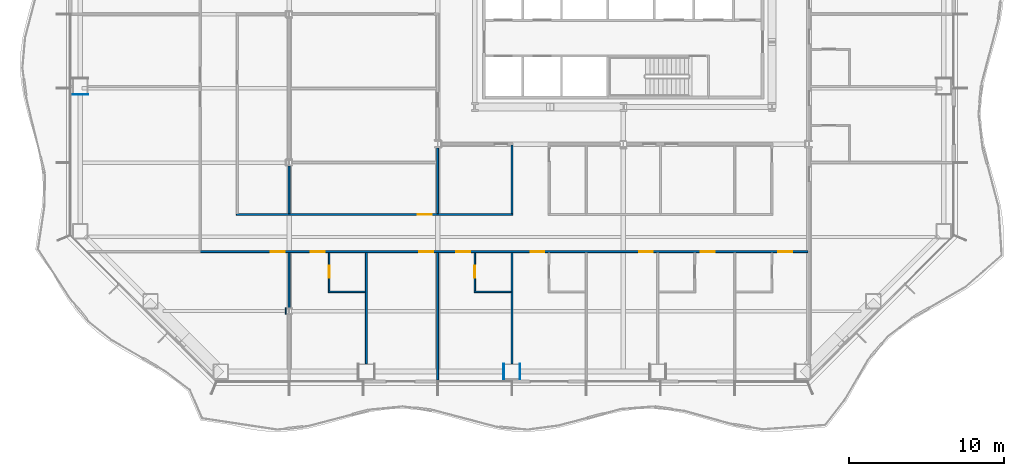
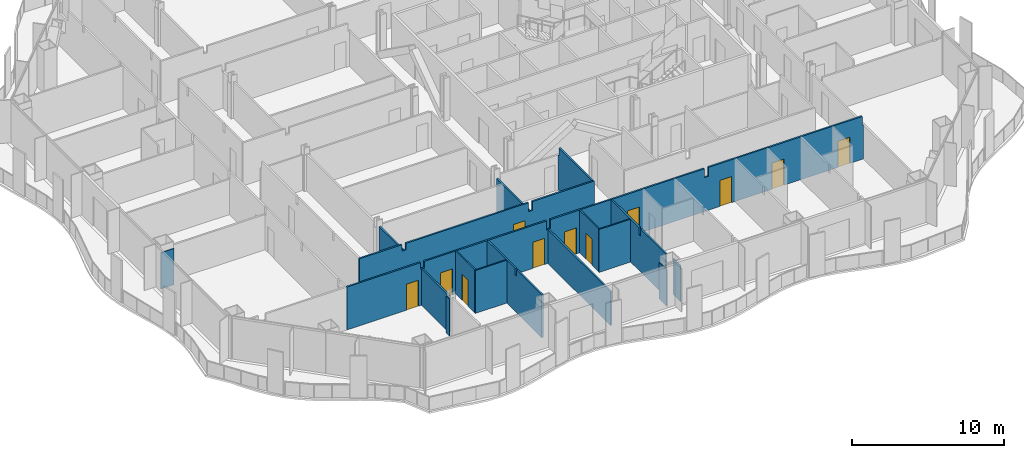
# One storey, part 6 of 21: 17 walls, 11 doors, 11 openings.
"""IFC4 building model written with IfcOpenShell, lengths in metres."""

import ifcopenshell
import ifcopenshell.guid

model = None  # the IFC model being written
_history = None  # IfcOwnerHistory: only IFC2X3 demands one
_inside = {}  # id of a spatial element -> (the spatial element, [elements in it])
_under = {}  # id of a project, library or spatial element -> (it, [spatial elements below it])
_declared = {}  # id of a project -> (the project, [libraries it declares])
_typed = {}  # id of a type object -> (the type object, [elements of that type])
_made_of = {}  # id of a material, layer set ... -> (it, [elements and type objects made of it])


def new_model(schema):
    """Start an empty IFC model of exactly this schema.

    Asked for "IFC4X3", IfcOpenShell would pick the latest addendum, in which some entities
    have other attributes; the version numbers below select the first issue.
    IFC2X3 requires an IfcOwnerHistory on every rooted entity: one is made here for all.
    """
    global model, _history
    if schema == "IFC4X3":
        model = ifcopenshell.file(schema_version=(4, 3, 0, 0))
    else:
        model = ifcopenshell.file(schema=schema)
    _inside.clear()
    _under.clear()
    _declared.clear()
    _typed.clear()
    _made_of.clear()
    _history = None
    if model.schema == "IFC2X3":
        org = make("IfcOrganization", Name="unknown")
        user = make(
            "IfcPersonAndOrganization",
            ThePerson=make("IfcPerson", FamilyName="unknown"),
            TheOrganization=org,
        )
        app = make(
            "IfcApplication",
            ApplicationDeveloper=org,
            Version="unknown",
            ApplicationFullName="unknown",
            ApplicationIdentifier="unknown",
        )
        _history = make(
            "IfcOwnerHistory",
            OwningUser=user,
            OwningApplication=app,
            ChangeAction="ADDED",
            CreationDate=0,
        )
    return model


def make(cls, **values):
    """One entity of the class cls with the attributes given. An attribute that is None is left unset."""
    return model.create_entity(
        cls, **{name: value for name, value in values.items() if value is not None}
    )


def rooted(cls, **values):
    """An entity with a GlobalId (a new one), such as an element, a storey or a relation."""
    return make(cls, GlobalId=ifcopenshell.guid.new(), OwnerHistory=_history, **values)


def si_unit(unit_type, name, prefix=None):
    """IfcSIUnit, for example si_unit("LENGTHUNIT", "METRE", prefix="MILLI")."""
    return make("IfcSIUnit", UnitType=unit_type, Prefix=prefix, Name=name)


def assignment(units):
    """IfcUnitAssignment: the units of a project."""
    return None if units is None else make("IfcUnitAssignment", Units=units)


def point(xyz):
    """IfcCartesianPoint."""
    return None if xyz is None else make("IfcCartesianPoint", Coordinates=xyz)


def direction(xyz):
    """IfcDirection."""
    return None if xyz is None else make("IfcDirection", DirectionRatios=xyz)


def frame(location, z_axis=None, x_axis=None):
    """IfcAxis2Placement3D, a coordinate frame: its origin and axes. An axis left out is left unset."""
    return make(
        "IfcAxis2Placement3D",
        Location=point(location),
        Axis=direction(z_axis),
        RefDirection=direction(x_axis),
    )


def frame_2d(location, x_axis=None):
    """IfcAxis2Placement2D, a coordinate frame in the plane: its origin and x axis."""
    return make(
        "IfcAxis2Placement2D", Location=point(location), RefDirection=direction(x_axis)
    )


def origin():
    """The frame at (0, 0, 0) with its axes left unset."""
    return frame((0.0, 0.0, 0.0))


def place(relative_to, where):
    """IfcLocalPlacement: puts the frame where relative to a parent placement (None: the world)."""
    return make(
        "IfcLocalPlacement", PlacementRelTo=relative_to, RelativePlacement=where
    )


def context(
    kind, dimensions, precision=None, world=None, true_north=None, identifier=None
):
    """IfcGeometricRepresentationContext, for example the 3D "Model" context."""
    return make(
        "IfcGeometricRepresentationContext",
        ContextIdentifier=identifier,
        ContextType=kind,
        CoordinateSpaceDimension=dimensions,
        Precision=precision,
        WorldCoordinateSystem=world,
        TrueNorth=true_north,
    )


def subcontext(parent, identifier, kind, view, scale=None):
    """IfcGeometricRepresentationSubContext, for example "Body" below "Model"."""
    return make(
        "IfcGeometricRepresentationSubContext",
        ContextIdentifier=identifier,
        ContextType=kind,
        ParentContext=parent,
        TargetScale=scale,
        TargetView=view,
    )


def project(units=None, contexts=None):
    """IfcProject with its units and contexts."""
    return rooted(
        "IfcProject",
        Name="project",
        RepresentationContexts=contexts,
        UnitsInContext=assignment(units),
    )


def spatial(cls, under=None, at=None, **own):
    """A site, building, storey or space (cls), placed at a placement, below another one or the project."""
    s = rooted(cls, ObjectPlacement=at, **own)
    if under is not None:
        _under.setdefault(under.id(), (under, []))[1].append(s)
    return s


def polyline(points):
    """IfcPolyline through the points."""
    return make("IfcPolyline", Points=[point(p) for p in points])


def profile(cls, at=None, kind="AREA", **sizes):
    """A parametric profile (cls). Its sizes go by their IFC names, for example OverallWidth=200.0."""
    return make(cls, ProfileType=kind, Position=at, **sizes)


def rectangle(**sizes):
    """IfcRectangleProfileDef."""
    return profile("IfcRectangleProfileDef", **sizes)


def outline(outer, holes=None, kind="AREA"):
    """IfcArbitraryClosedProfileDef: a profile drawn as a closed curve; with holes, ...WithVoids."""
    if holes is None:
        return make("IfcArbitraryClosedProfileDef", ProfileType=kind, OuterCurve=outer)
    return make(
        "IfcArbitraryProfileDefWithVoids",
        ProfileType=kind,
        OuterCurve=outer,
        InnerCurves=holes,
    )


def extrude(swept, where, along, depth):
    """IfcExtrudedAreaSolid: the profile swept, set in the frame where, extruded along a direction by depth."""
    return make(
        "IfcExtrudedAreaSolid",
        SweptArea=swept,
        Position=where,
        ExtrudedDirection=direction(along),
        Depth=depth,
    )


def shape(context_of_items, identifier, shape_type, items):
    """IfcShapeRepresentation: the items that make up one representation, for example the "Body"."""
    return make(
        "IfcShapeRepresentation",
        ContextOfItems=context_of_items,
        RepresentationIdentifier=identifier,
        RepresentationType=shape_type,
        Items=items,
    )


def material(Name=None, Category=None):
    """IfcMaterial."""
    return make("IfcMaterial", Name=Name, Category=Category)


def layer(
    of_material, thickness, ventilated=None, Name=None, Category=None, Priority=None
):
    """IfcMaterialLayer: one layer of a wall or slab, of a material (None: an air gap)."""
    return make(
        "IfcMaterialLayer",
        Material=of_material,
        LayerThickness=thickness,
        IsVentilated=ventilated,
        Name=Name,
        Category=Category,
        Priority=Priority,
    )


def layer_set(layers, Name=None):
    """IfcMaterialLayerSet."""
    return make("IfcMaterialLayerSet", MaterialLayers=layers, LayerSetName=Name)


def made_of(thing, what):
    """Note that an element or type object is made of a material, layer set ...; save() writes the relation."""
    if what is not None:
        _made_of.setdefault(what.id(), (what, []))[1].append(thing)
    return thing


def type_object(cls, material=None, **own):
    """A type object (cls), such as IfcWallType, which elements share."""
    return made_of(rooted(cls, **own), material)


def element(
    cls,
    number,
    at=None,
    inside=None,
    cuts=None,
    type_object=None,
    material=None,
    context=None,
    identifier="Body",
    shape_type=None,
    held_by="IfcProductDefinitionShape",
    body=None,
    shapes=None,
    **own,
):
    """One element of the class cls, such as IfcWall. Its Tag is "e" and its number.

    at: its placement. inside: the storey or other place that contains it. cuts: it is an
    opening in that element (IfcRelVoidsElement). A single representation is given by context,
    identifier, shape_type and body (its items); several are given by shapes. held_by: the class
    of the entity that holds the representations. save() writes the other relations.
    """
    e = rooted(cls, Tag="e%d" % number, ObjectPlacement=at, **own)
    if body is not None:
        shapes = [shape(context, identifier, shape_type, body)]
    if shapes is not None:
        e.Representation = make(held_by, Representations=shapes)
    if inside is not None:
        _inside.setdefault(inside.id(), (inside, []))[1].append(e)
    if cuts is not None:
        rooted(
            "IfcRelVoidsElement", RelatingBuildingElement=cuts, RelatedOpeningElement=e
        )
    if type_object is not None:
        _typed.setdefault(type_object.id(), (type_object, []))[1].append(e)
    return made_of(e, material)


def fill(opening, filler):
    """IfcRelFillsElement: the door or window that sits in an opening."""
    return rooted(
        "IfcRelFillsElement",
        RelatingOpeningElement=opening,
        RelatedBuildingElement=filler,
    )


def aggregate(whole, parts):
    """IfcRelAggregates: a whole, such as a stair, and the parts it consists of."""
    return rooted("IfcRelAggregates", RelatingObject=whole, RelatedObjects=parts)


def save(model, path):
    """Write the relations noted so far, then the file.

    IfcRelAggregates (storeys below a building ...), IfcRelContainedInSpatialStructure (elements
    in a storey), IfcRelDefinesByType, IfcRelAssociatesMaterial and IfcRelDeclares: one each for
    every whole, place, type object, material and project.
    """
    for whole, parts in _under.values():
        aggregate(whole, parts)
    for where, things in _inside.values():
        rooted(
            "IfcRelContainedInSpatialStructure",
            RelatedElements=things,
            RelatingStructure=where,
        )
    for kind, things in _typed.values():
        rooted("IfcRelDefinesByType", RelatedObjects=things, RelatingType=kind)
    for what, things in _made_of.values():
        rooted("IfcRelAssociatesMaterial", RelatedObjects=things, RelatingMaterial=what)
    for by, libraries in _declared.values():
        rooted("IfcRelDeclares", RelatingContext=by, RelatedDefinitions=libraries)
    model.write(path)


model = new_model("IFC4")

# Units and contexts
model_context = context("Model", 3, precision=1e-05, world=origin(), true_north=direction((0.0, 1.0)))
body_context = subcontext(model_context, "Body", "Model", "MODEL_VIEW")
ifc_project = project(units=[si_unit("LENGTHUNIT", "METRE"), si_unit("AREAUNIT", "SQUARE_METRE"), si_unit("VOLUMEUNIT", "CUBIC_METRE"), si_unit("PLANEANGLEUNIT", "RADIAN"), si_unit("MASSUNIT", "GRAM", prefix="KILO")], contexts=[model_context])

# Site, building, storey
site_placement = place(None, origin())
site = spatial("IfcSite", under=ifc_project, at=site_placement, CompositionType="ELEMENT")
building_placement = place(site_placement, origin())
building = spatial("IfcBuilding", under=site, at=building_placement, Name="Cairn Pilgrim Tower", CompositionType="ELEMENT")
storey_placement = place(building_placement, frame((0.0, 0.0, 43.800048828125)))
storey = spatial("IfcBuildingStorey", under=building, at=storey_placement, Name="L08", CompositionType="ELEMENT", Elevation=43.800048828125)

# Wall
ifc_material_1 = material(Name="Gypsum partition")
ifc_layer_1 = layer(ifc_material_1, 0.10009765625)
ifc_layer_set_1 = layer_set([ifc_layer_1], Name="PARTITION 100 DRYWALL")
wall_type_1 = type_object("IfcWallType", Name="PARTITION 100 DRYWALL", PredefinedType="PARTITIONING", material=ifc_layer_set_1)
wall_1_placement = place(storey_placement, frame((-11.864013671875, -17.949951171875, 0.0), z_axis=(0.0, 0.0, 1.0), x_axis=(1.0, 0.0, 0.0)))
element("IfcWall", 1, at=wall_1_placement, inside=storey, type_object=wall_type_1, Name="PARTITION W011", PredefinedType="PARTITIONING", context=body_context, shape_type="SweptSolid", body=[
    extrude(rectangle(XDim=2.387451171875, YDim=0.10009765625, at=frame_2d((1.19384765625, 0.0))), origin(), (0.0, 0.0, 1.0), 3.449951171875),
])

# Wall, opening, door
wall_2_placement = place(storey_placement, frame((-11.81396484375, -17.89990234375, 0.0), z_axis=(0.0, 0.0, 1.0), x_axis=(0.0, 1.0, 0.0)))
wall_2 = element("IfcWall", 2, at=wall_2_placement, inside=storey, type_object=wall_type_1, Name="PARTITION W012", PredefinedType="PARTITIONING", context=body_context, shape_type="SweptSolid", body=[
    extrude(rectangle(XDim=2.4873046875, YDim=0.10009765625, at=frame_2d((1.24365234375, 0.0))), origin(), (0.0, 0.0, 1.0), 3.449951171875),
])
opening_1_placement = place(wall_2_placement, frame((0.85009765625, 0.0, 0.0)))
opening_1 = element("IfcOpeningElement", 3, at=opening_1_placement, cuts=wall_2, Name="Opening 0802E", PredefinedType="OPENING", context=body_context, shape_type="SweptSolid", body=[
    extrude(rectangle(XDim=0.800048828125, YDim=2.10009765625, at=frame_2d((0.39990234375, 1.050048828125))), frame((0.0, 0.06005859375, 0.0), z_axis=(0.0, -1.0, 0.0), x_axis=(1.0, 0.0, 0.0)), (0.0, 0.0, 1.0), 0.1201171875),
])
ifc_material_2 = material(Name="Timber door leaf", Category="wood")
door_type_1 = type_object("IfcDoorType", Name="DOOR 800x2100", OperationType="NOTDEFINED", PredefinedType="DOOR", material=ifc_material_2)
door_1_placement = place(opening_1_placement, frame((0.800048828125, 0.0, 0.0), z_axis=(0.0, 0.0, 1.0), x_axis=(-1.0, 0.0, 0.0)))
door_1 = element("IfcDoor", 4, at=door_1_placement, inside=storey, type_object=door_type_1, Name="DOOR 0802E", OperationType="SINGLE_SWING_RIGHT", OverallHeight=2.10009765625, OverallWidth=0.800048828125, PredefinedType="DOOR", context=body_context, shape_type="SweptSolid", body=[
    extrude(rectangle(XDim=0.800048828125, YDim=2.10009765625, at=frame_2d((0.39990234375, 1.050048828125))), frame((0.0, 0.02490234375, 0.0), z_axis=(0.0, -1.0, 0.0), x_axis=(1.0, 0.0, 0.0)), (0.0, 0.0, 1.0), 0.050048828125),
])
fill(opening_1, door_1)

# Wall
wall_3_placement = place(storey_placement, frame((-2.449951171875, -17.949951171875, 0.0), z_axis=(0.0, 0.0, 1.0), x_axis=(1.0, 0.0, 0.0)))
element("IfcWall", 5, at=wall_3_placement, inside=storey, type_object=wall_type_1, Name="PARTITION W013", PredefinedType="PARTITIONING", context=body_context, shape_type="SweptSolid", body=[
    extrude(rectangle(XDim=2.387451171875, YDim=0.10009765625, at=frame_2d((1.19384765625, 0.0))), origin(), (0.0, 0.0, 1.0), 3.449951171875),
])

# Wall, opening, door
wall_4_placement = place(storey_placement, frame((-2.39990234375, -17.89990234375, 0.0), z_axis=(0.0, 0.0, 1.0), x_axis=(0.0, 1.0, 0.0)))
wall_4 = element("IfcWall", 6, at=wall_4_placement, inside=storey, type_object=wall_type_1, Name="PARTITION W014", PredefinedType="PARTITIONING", context=body_context, shape_type="SweptSolid", body=[
    extrude(rectangle(XDim=2.4873046875, YDim=0.10009765625, at=frame_2d((1.24365234375, 0.0))), origin(), (0.0, 0.0, 1.0), 3.449951171875),
])
opening_2_placement = place(wall_4_placement, frame((0.85009765625, 0.0, 0.0)))
opening_2 = element("IfcOpeningElement", 7, at=opening_2_placement, cuts=wall_4, Name="Opening 0804E", PredefinedType="OPENING", context=body_context, shape_type="SweptSolid", body=[
    extrude(rectangle(XDim=0.800048828125, YDim=2.10009765625, at=frame_2d((0.39990234375, 1.050048828125))), frame((0.0, 0.06005859375, 0.0), z_axis=(0.0, -1.0, 0.0), x_axis=(1.0, 0.0, 0.0)), (0.0, 0.0, 1.0), 0.1201171875),
])
door_2_placement = place(opening_2_placement, frame((0.800048828125, 0.0, 0.0), z_axis=(0.0, 0.0, 1.0), x_axis=(-1.0, 0.0, 0.0)))
door_2 = element("IfcDoor", 8, at=door_2_placement, inside=storey, type_object=door_type_1, Name="DOOR 0804E", OperationType="SINGLE_SWING_LEFT", OverallHeight=2.10009765625, OverallWidth=0.800048828125, PredefinedType="DOOR", context=body_context, shape_type="SweptSolid", body=[
    extrude(rectangle(XDim=0.800048828125, YDim=2.10009765625, at=frame_2d((0.39990234375, 1.050048828125))), frame((0.0, 0.02490234375, 0.0), z_axis=(0.0, -1.0, 0.0), x_axis=(1.0, 0.0, 0.0)), (0.0, 0.0, 1.0), 0.050048828125),
])
fill(opening_2, door_2)

# Walls
ifc_layer_2 = layer(ifc_material_1, 0.125)
ifc_layer_set_2 = layer_set([ifc_layer_2], Name="PARTITION 125 DRYWALL EI 60")
wall_type_2 = type_object("IfcWallType", Name="PARTITION 125 DRYWALL EI 60", PredefinedType="PARTITIONING", material=ifc_layer_set_2)
wall_5_placement = place(storey_placement, frame((-4.800048828125, -23.64990234375, 0.0), z_axis=(0.0, 0.0, 1.0), x_axis=(0.0, 1.0, 0.0)))
element("IfcWall", 9, at=wall_5_placement, inside=storey, type_object=wall_type_2, Name="PARTITION W002", PredefinedType="PARTITIONING", context=body_context, shape_type="SweptSolid", body=[
    extrude(rectangle(XDim=8.2373046875, YDim=0.125, at=frame_2d((4.11865234375, 0.0))), origin(), (0.0, 0.0, 1.0), 2.72998046875),
])
wall_6_placement = place(storey_placement, frame((-9.4140625, -22.60009765625, 0.0), z_axis=(0.0, 0.0, 1.0), x_axis=(0.0, 1.0, 0.0)))
element("IfcWall", 10, at=wall_6_placement, inside=storey, type_object=wall_type_2, Name="PARTITION W006", PredefinedType="PARTITIONING", context=body_context, shape_type="SweptSolid", body=[
    extrude(outline(polyline([(0.0, 0.0), (7.1875, 0.0), (7.1875, 3.449951171875), (3.5, 3.449951171875), (3.498046875, 2.929931640625), (3.300048828125, 2.929931640625), (3.298095703125, 3.449951171875), (0.0, 3.449951171875), (0.0, 0.0)])), frame((0.0, 0.0625, 0.0), z_axis=(0.0, -1.0, 0.0), x_axis=(1.0, 0.0, 0.0)), (0.0, 0.0, 1.0), 0.125),
])
wall_7_placement = place(storey_placement, frame((0.0, -22.60009765625, 0.0), z_axis=(0.0, 0.0, 1.0), x_axis=(0.0, 1.0, 0.0)))
element("IfcWall", 11, at=wall_7_placement, inside=storey, type_object=wall_type_2, Name="PARTITION W007", PredefinedType="PARTITIONING", context=body_context, shape_type="SweptSolid", body=[
    extrude(outline(polyline([(0.0, 0.0), (7.1875, 0.0), (7.1875, 3.449951171875), (3.5048828125, 3.449951171875), (3.5029296875, 2.8798828125), (3.294921875, 2.8798828125), (3.29296875, 3.449951171875), (0.0, 3.449951171875), (0.0, 0.0)])), frame((0.0, 0.0625, 0.0), z_axis=(0.0, -1.0, 0.0), x_axis=(1.0, 0.0, 0.0)), (0.0, 0.0, 1.0), 0.125),
])
wall_8_placement = place(storey_placement, frame((-14.39990234375, -18.987548828125, 0.0), z_axis=(0.0, 0.0, 1.0), x_axis=(0.0, 1.0, 0.0)))
element("IfcWall", 12, at=wall_8_placement, inside=storey, type_object=wall_type_2, Name="PARTITION W010", PredefinedType="PARTITIONING", context=body_context, shape_type="SweptSolid", body=[
    extrude(rectangle(XDim=3.574951171875, YDim=0.125, at=frame_2d((1.78759765625, 0.0))), origin(), (0.0, 0.0, 1.0), 2.929931640625),
])

# Wall, openings, doors
wall_9_placement = place(storey_placement, frame((-20.14990234375, -15.35009765625, 0.0), z_axis=(0.0, 0.0, 1.0), x_axis=(1.0, 0.0, 0.0)))
wall_9 = element("IfcWall", 13, at=wall_9_placement, inside=storey, type_object=wall_type_2, Name="PARTITION W022", PredefinedType="PARTITIONING", context=body_context, shape_type="SweptSolid", body=[
    extrude(outline(polyline([(0.0, 0.0), (39.287353515625, 0.0), (39.28759765625, 2.72998046875), (39.199951171875, 2.72998046875), (39.197998046875, 3.449951171875), (27.5, 3.449951171875), (27.498046875, 2.72998046875), (27.199951171875, 2.72998046875), (27.197998046875, 3.449951171875), (15.5, 3.449951171875), (15.498046875, 2.72998046875), (15.199951171875, 2.72998046875), (15.197998046875, 3.449951171875), (5.89990234375, 3.449951171875), (5.89794921875, 2.929931640625), (5.60009765625, 2.929931640625), (5.597900390625, 3.449951171875), (0.0, 3.449951171875), (0.0, 0.0)])), frame((0.0, 0.0625, 0.0), z_axis=(0.0, -1.0, 0.0), x_axis=(1.0, 0.0, 0.0)), (0.0, 0.0, 1.0), 0.125),
])
opening_3_placement = place(wall_9_placement, frame((4.550048828125, 0.0, 0.0)))
opening_3 = element("IfcOpeningElement", 14, at=opening_3_placement, cuts=wall_9, Name="Opening 0801", PredefinedType="OPENING", context=body_context, shape_type="SweptSolid", body=[
    extrude(rectangle(XDim=0.89990234375, YDim=2.10009765625, at=frame_2d((0.449951171875, 1.050048828125))), frame((0.0, 0.072509765625, 0.0), z_axis=(0.0, -1.0, 0.0), x_axis=(1.0, 0.0, 0.0)), (0.0, 0.0, 1.0), 0.14501953125),
])
opening_4_placement = place(wall_9_placement, frame((7.135986328125, 0.0, 0.0)))
opening_4 = element("IfcOpeningElement", 15, at=opening_4_placement, cuts=wall_9, Name="Opening 0802", PredefinedType="OPENING", context=body_context, shape_type="SweptSolid", body=[
    extrude(rectangle(XDim=0.89990234375, YDim=2.10009765625, at=frame_2d((0.449951171875, 1.050048828125))), frame((0.0, 0.072509765625, 0.0), z_axis=(0.0, -1.0, 0.0), x_axis=(1.0, 0.0, 0.0)), (0.0, 0.0, 1.0), 0.14501953125),
])
opening_5_placement = place(wall_9_placement, frame((14.14990234375, 0.0, 0.0)))
opening_5 = element("IfcOpeningElement", 16, at=opening_5_placement, cuts=wall_9, Name="Opening 0803", PredefinedType="OPENING", context=body_context, shape_type="SweptSolid", body=[
    extrude(rectangle(XDim=0.89990234375, YDim=2.10009765625, at=frame_2d((0.449951171875, 1.050048828125))), frame((0.0, 0.072509765625, 0.0), z_axis=(0.0, -1.0, 0.0), x_axis=(1.0, 0.0, 0.0)), (0.0, 0.0, 1.0), 0.14501953125),
])
opening_6_placement = place(wall_9_placement, frame((16.550048828125, 0.0, 0.0)))
opening_6 = element("IfcOpeningElement", 17, at=opening_6_placement, cuts=wall_9, Name="Opening 0804", PredefinedType="OPENING", context=body_context, shape_type="SweptSolid", body=[
    extrude(rectangle(XDim=0.89990234375, YDim=2.10009765625, at=frame_2d((0.449951171875, 1.050048828125))), frame((0.0, 0.072509765625, 0.0), z_axis=(0.0, -1.0, 0.0), x_axis=(1.0, 0.0, 0.0)), (0.0, 0.0, 1.0), 0.14501953125),
])
opening_7_placement = place(wall_9_placement, frame((21.35009765625, 0.0, 0.0)))
opening_7 = element("IfcOpeningElement", 18, at=opening_7_placement, cuts=wall_9, Name="Opening 0805", PredefinedType="OPENING", context=body_context, shape_type="SweptSolid", body=[
    extrude(rectangle(XDim=0.89990234375, YDim=2.10009765625, at=frame_2d((0.449951171875, 1.050048828125))), frame((0.0, 0.072509765625, 0.0), z_axis=(0.0, -1.0, 0.0), x_axis=(1.0, 0.0, 0.0)), (0.0, 0.0, 1.0), 0.14501953125),
])
opening_8_placement = place(wall_9_placement, frame((28.364013671875, 0.0, 0.0)))
opening_8 = element("IfcOpeningElement", 19, at=opening_8_placement, cuts=wall_9, Name="Opening 0806", PredefinedType="OPENING", context=body_context, shape_type="SweptSolid", body=[
    extrude(rectangle(XDim=0.89990234375, YDim=2.10009765625, at=frame_2d((0.449951171875, 1.050048828125))), frame((0.0, 0.072509765625, 0.0), z_axis=(0.0, -1.0, 0.0), x_axis=(1.0, 0.0, 0.0)), (0.0, 0.0, 1.0), 0.14501953125),
])
opening_9_placement = place(wall_9_placement, frame((32.35009765625, 0.0, 0.0)))
opening_9 = element("IfcOpeningElement", 20, at=opening_9_placement, cuts=wall_9, Name="Opening 0807", PredefinedType="OPENING", context=body_context, shape_type="SweptSolid", body=[
    extrude(rectangle(XDim=0.89990234375, YDim=2.10009765625, at=frame_2d((0.449951171875, 1.050048828125))), frame((0.0, 0.072509765625, 0.0), z_axis=(0.0, -1.0, 0.0), x_axis=(1.0, 0.0, 0.0)), (0.0, 0.0, 1.0), 0.14501953125),
])
opening_10_placement = place(wall_9_placement, frame((37.35009765625, 0.0, 0.0)))
opening_10 = element("IfcOpeningElement", 21, at=opening_10_placement, cuts=wall_9, Name="Opening 0808", PredefinedType="OPENING", context=body_context, shape_type="SweptSolid", body=[
    extrude(rectangle(XDim=0.89990234375, YDim=2.10009765625, at=frame_2d((0.449951171875, 1.050048828125))), frame((0.0, 0.072509765625, 0.0), z_axis=(0.0, -1.0, 0.0), x_axis=(1.0, 0.0, 0.0)), (0.0, 0.0, 1.0), 0.14501953125),
])
ifc_material_3 = material(Name="Steel-faced fire door leaf", Category="steel")
door_type_2 = type_object("IfcDoorType", Name="FIRE DOOR 900x2100 FD30S", OperationType="NOTDEFINED", PredefinedType="DOOR", material=ifc_material_3)
door_3_placement = place(opening_3_placement, frame((0.89990234375, 0.0, 0.0), z_axis=(0.0, 0.0, 1.0), x_axis=(-1.0, 0.0, 0.0)))
door_3 = element("IfcDoor", 22, at=door_3_placement, inside=storey, type_object=door_type_2, Name="DOOR 0801", OperationType="SINGLE_SWING_RIGHT", OverallHeight=2.10009765625, OverallWidth=0.89990234375, PredefinedType="DOOR", context=body_context, shape_type="SweptSolid", body=[
    extrude(rectangle(XDim=0.89990234375, YDim=2.10009765625, at=frame_2d((0.449951171875, 1.050048828125))), frame((0.0, 0.02490234375, 0.0), z_axis=(0.0, -1.0, 0.0), x_axis=(1.0, 0.0, 0.0)), (0.0, 0.0, 1.0), 0.050048828125),
])
fill(opening_3, door_3)
door_4_placement = place(opening_4_placement, frame((0.89990234375, 0.0, 0.0), z_axis=(0.0, 0.0, 1.0), x_axis=(-1.0, 0.0, 0.0)))
door_4 = element("IfcDoor", 23, at=door_4_placement, inside=storey, type_object=door_type_2, Name="DOOR 0802", OperationType="SINGLE_SWING_LEFT", OverallHeight=2.10009765625, OverallWidth=0.89990234375, PredefinedType="DOOR", context=body_context, shape_type="SweptSolid", body=[
    extrude(rectangle(XDim=0.89990234375, YDim=2.10009765625, at=frame_2d((0.449951171875, 1.050048828125))), frame((0.0, 0.02490234375, 0.0), z_axis=(0.0, -1.0, 0.0), x_axis=(1.0, 0.0, 0.0)), (0.0, 0.0, 1.0), 0.050048828125),
])
fill(opening_4, door_4)
door_5_placement = place(opening_5_placement, frame((0.89990234375, 0.0, 0.0), z_axis=(0.0, 0.0, 1.0), x_axis=(-1.0, 0.0, 0.0)))
door_5 = element("IfcDoor", 24, at=door_5_placement, inside=storey, type_object=door_type_2, Name="DOOR 0803", OperationType="SINGLE_SWING_LEFT", OverallHeight=2.10009765625, OverallWidth=0.89990234375, PredefinedType="DOOR", context=body_context, shape_type="SweptSolid", body=[
    extrude(rectangle(XDim=0.89990234375, YDim=2.10009765625, at=frame_2d((0.449951171875, 1.050048828125))), frame((0.0, 0.02490234375, 0.0), z_axis=(0.0, -1.0, 0.0), x_axis=(1.0, 0.0, 0.0)), (0.0, 0.0, 1.0), 0.050048828125),
])
fill(opening_5, door_5)
door_6_placement = place(opening_6_placement, frame((0.89990234375, 0.0, 0.0), z_axis=(0.0, 0.0, 1.0), x_axis=(-1.0, 0.0, 0.0)))
door_6 = element("IfcDoor", 25, at=door_6_placement, inside=storey, type_object=door_type_2, Name="DOOR 0804", OperationType="SINGLE_SWING_RIGHT", OverallHeight=2.10009765625, OverallWidth=0.89990234375, PredefinedType="DOOR", context=body_context, shape_type="SweptSolid", body=[
    extrude(rectangle(XDim=0.89990234375, YDim=2.10009765625, at=frame_2d((0.449951171875, 1.050048828125))), frame((0.0, 0.02490234375, 0.0), z_axis=(0.0, -1.0, 0.0), x_axis=(1.0, 0.0, 0.0)), (0.0, 0.0, 1.0), 0.050048828125),
])
fill(opening_6, door_6)
door_7_placement = place(opening_7_placement, frame((0.89990234375, 0.0, 0.0), z_axis=(0.0, 0.0, 1.0), x_axis=(-1.0, 0.0, 0.0)))
door_7 = element("IfcDoor", 26, at=door_7_placement, inside=storey, type_object=door_type_2, Name="DOOR 0805", OperationType="SINGLE_SWING_RIGHT", OverallHeight=2.10009765625, OverallWidth=0.89990234375, PredefinedType="DOOR", context=body_context, shape_type="SweptSolid", body=[
    extrude(rectangle(XDim=0.89990234375, YDim=2.10009765625, at=frame_2d((0.449951171875, 1.050048828125))), frame((0.0, 0.02490234375, 0.0), z_axis=(0.0, -1.0, 0.0), x_axis=(1.0, 0.0, 0.0)), (0.0, 0.0, 1.0), 0.050048828125),
])
fill(opening_7, door_7)
door_8_placement = place(opening_8_placement, frame((0.89990234375, 0.0, 0.0), z_axis=(0.0, 0.0, 1.0), x_axis=(-1.0, 0.0, 0.0)))
door_8 = element("IfcDoor", 27, at=door_8_placement, inside=storey, type_object=door_type_2, Name="DOOR 0806", OperationType="SINGLE_SWING_RIGHT", OverallHeight=2.10009765625, OverallWidth=0.89990234375, PredefinedType="DOOR", context=body_context, shape_type="SweptSolid", body=[
    extrude(rectangle(XDim=0.89990234375, YDim=2.10009765625, at=frame_2d((0.449951171875, 1.050048828125))), frame((0.0, 0.02490234375, 0.0), z_axis=(0.0, -1.0, 0.0), x_axis=(1.0, 0.0, 0.0)), (0.0, 0.0, 1.0), 0.050048828125),
])
fill(opening_8, door_8)
door_9_placement = place(opening_9_placement, frame((0.89990234375, 0.0, 0.0), z_axis=(0.0, 0.0, 1.0), x_axis=(-1.0, 0.0, 0.0)))
door_9 = element("IfcDoor", 28, at=door_9_placement, inside=storey, type_object=door_type_2, Name="DOOR 0807", OperationType="SINGLE_SWING_LEFT", OverallHeight=2.10009765625, OverallWidth=0.89990234375, PredefinedType="DOOR", context=body_context, shape_type="SweptSolid", body=[
    extrude(rectangle(XDim=0.89990234375, YDim=2.10009765625, at=frame_2d((0.449951171875, 1.050048828125))), frame((0.0, 0.02490234375, 0.0), z_axis=(0.0, -1.0, 0.0), x_axis=(1.0, 0.0, 0.0)), (0.0, 0.0, 1.0), 0.050048828125),
])
fill(opening_9, door_9)
door_10_placement = place(opening_10_placement, frame((0.89990234375, 0.0, 0.0), z_axis=(0.0, 0.0, 1.0), x_axis=(-1.0, 0.0, 0.0)))
door_10 = element("IfcDoor", 29, at=door_10_placement, inside=storey, type_object=door_type_2, Name="DOOR 0808", OperationType="SINGLE_SWING_LEFT", OverallHeight=2.10009765625, OverallWidth=0.89990234375, PredefinedType="DOOR", context=body_context, shape_type="SweptSolid", body=[
    extrude(rectangle(XDim=0.89990234375, YDim=2.10009765625, at=frame_2d((0.449951171875, 1.050048828125))), frame((0.0, 0.02490234375, 0.0), z_axis=(0.0, -1.0, 0.0), x_axis=(1.0, 0.0, 0.0)), (0.0, 0.0, 1.0), 0.050048828125),
])
fill(opening_10, door_10)

# Wall, opening, door
wall_10_placement = place(storey_placement, frame((-17.8125, -12.949951171875, 0.0), z_axis=(0.0, 0.0, 1.0), x_axis=(1.0, 0.0, 0.0)))
wall_10 = element("IfcWall", 30, at=wall_10_placement, inside=storey, type_object=wall_type_2, Name="PARTITION W025", PredefinedType="PARTITIONING", context=body_context, shape_type="SweptSolid", body=[
    extrude(outline(polyline([(0.0, 0.0), (17.875, 0.0), (17.875, 3.449951171875), (13.16259765625, 3.449951171875), (13.160400390625, 2.72998046875), (12.862548828125, 2.72998046875), (12.860595703125, 3.449951171875), (3.5625, 3.449951171875), (3.560546875, 2.929931640625), (3.262451171875, 2.929931640625), (3.260498046875, 3.449951171875), (0.0, 3.449951171875), (0.0, 0.0)])), frame((0.0, 0.0625, 0.0), z_axis=(0.0, -1.0, 0.0), x_axis=(1.0, 0.0, 0.0)), (0.0, 0.0, 1.0), 0.125),
])
opening_11_placement = place(wall_10_placement, frame((11.71240234375, 0.0, 0.0)))
opening_11 = element("IfcOpeningElement", 31, at=opening_11_placement, cuts=wall_10, Name="Opening 0827", PredefinedType="OPENING", context=body_context, shape_type="SweptSolid", body=[
    extrude(rectangle(XDim=0.89990234375, YDim=2.10009765625, at=frame_2d((0.449951171875, 1.050048828125))), frame((0.0, 0.072509765625, 0.0), z_axis=(0.0, -1.0, 0.0), x_axis=(1.0, 0.0, 0.0)), (0.0, 0.0, 1.0), 0.14501953125),
])
door_11_placement = place(opening_11_placement, origin())
door_11 = element("IfcDoor", 32, at=door_11_placement, inside=storey, type_object=door_type_2, Name="DOOR 0827", OperationType="SINGLE_SWING_RIGHT", OverallHeight=2.10009765625, OverallWidth=0.89990234375, PredefinedType="DOOR", context=body_context, shape_type="SweptSolid", body=[
    extrude(rectangle(XDim=0.89990234375, YDim=2.10009765625, at=frame_2d((0.449951171875, 1.050048828125))), frame((0.0, 0.02490234375, 0.0), z_axis=(0.0, -1.0, 0.0), x_axis=(1.0, 0.0, 0.0)), (0.0, 0.0, 1.0), 0.050048828125),
])
fill(opening_11, door_11)

# Walls
wall_11_placement = place(storey_placement, frame((-14.39990234375, -12.887451171875, 0.0), z_axis=(0.0, 0.0, 1.0), x_axis=(0.0, 1.0, 0.0)))
element("IfcWall", 33, at=wall_11_placement, inside=storey, type_object=wall_type_2, Name="PARTITION W028", PredefinedType="PARTITIONING", context=body_context, shape_type="SweptSolid", body=[
    extrude(rectangle(XDim=3.074951171875, YDim=0.125, at=frame_2d((1.53759765625, 0.0))), origin(), (0.0, 0.0, 1.0), 2.929931640625),
])
wall_12_placement = place(storey_placement, frame((-4.800048828125, -12.887451171875, 0.0), z_axis=(0.0, 0.0, 1.0), x_axis=(0.0, 1.0, 0.0)))
element("IfcWall", 34, at=wall_12_placement, inside=storey, type_object=wall_type_2, Name="PARTITION W029", PredefinedType="PARTITIONING", context=body_context, shape_type="SweptSolid", body=[
    extrude(rectangle(XDim=4.25048828125, YDim=0.125, at=frame_2d((2.125244140625, 0.0))), origin(), (0.0, 0.0, 1.0), 2.72998046875),
])
wall_13_placement = place(storey_placement, frame((0.0, -12.887451171875, 0.0), z_axis=(0.0, 0.0, 1.0), x_axis=(0.0, 1.0, 0.0)))
element("IfcWall", 35, at=wall_13_placement, inside=storey, type_object=wall_type_2, Name="PARTITION W030", PredefinedType="PARTITIONING", context=body_context, shape_type="SweptSolid", body=[
    extrude(outline(polyline([(0.0, 0.0), (4.425048828125, 0.0), (4.425048828125, 2.829833984375), (4.33740234375, 2.829833984375), (4.33544921875, 3.449951171875), (0.0, 3.449951171875), (0.0, 0.0)])), frame((0.0, 0.0625, 0.0), z_axis=(0.0, -1.0, 0.0), x_axis=(1.0, 0.0, 0.0)), (0.0, 0.0, 1.0), 0.125),
])
ifc_layer_3 = layer(ifc_material_1, 0.050048828125)
ifc_layer_set_3 = layer_set([ifc_layer_3], Name="PARTITION 50 DRYWALL EI 60")
wall_type_3 = type_object("IfcWallType", Name="PARTITION 50 DRYWALL EI 60", PredefinedType="PARTITIONING", material=ifc_layer_set_3)
wall_14_placement = place(storey_placement, frame((-14.62939453125, -19.41259765625, 0.0), z_axis=(0.0, 0.0, 1.0), x_axis=(0.0, 1.0, 0.0)))
element("IfcWall", 36, at=wall_14_placement, inside=storey, type_object=wall_type_3, Name="COLUMN CASING WC01", PredefinedType="PARTITIONING", context=body_context, shape_type="SweptSolid", body=[
    extrude(rectangle(XDim=0.425048828125, YDim=0.050048828125, at=frame_2d((0.21240234375, 0.0))), origin(), (0.0, 0.0, 1.0), 2.97998046875),
])
for number, where, z_axis, x_axis, name in (
    (37, (-0.52490234375, -23.60009765625, 0.0), (0.0, 0.0, 1.0), (0.0, 1.0, 0.0), "COLUMN CASING WC02"),
    (38, (0.52490234375, -23.60009765625, 0.0), (0.0, 0.0, 1.0), (0.0, 1.0, 0.0), "COLUMN CASING WC03"),
    (39, (-28.39990234375, -5.20068359375, 0.0), (0.0, 0.0, 1.0), (1.0, 0.0, 0.0), "COLUMN CASING WC19"),
):
    element("IfcWall", number, at=place(storey_placement, frame(where, z_axis=z_axis, x_axis=x_axis)), inside=storey, type_object=wall_type_3, Name=name, PredefinedType="PARTITIONING", context=body_context, shape_type="SweptSolid", body=[
        extrude(rectangle(XDim=1.0, YDim=0.050048828125, at=frame_2d((0.5, 0.0))), origin(), (0.0, 0.0, 1.0), 2.929931640625),
    ])

save(model, "model.ifc")
